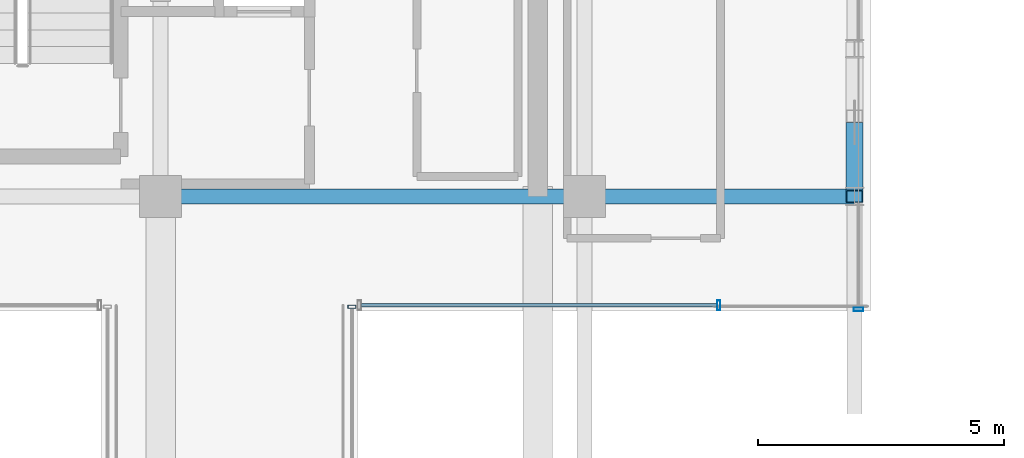
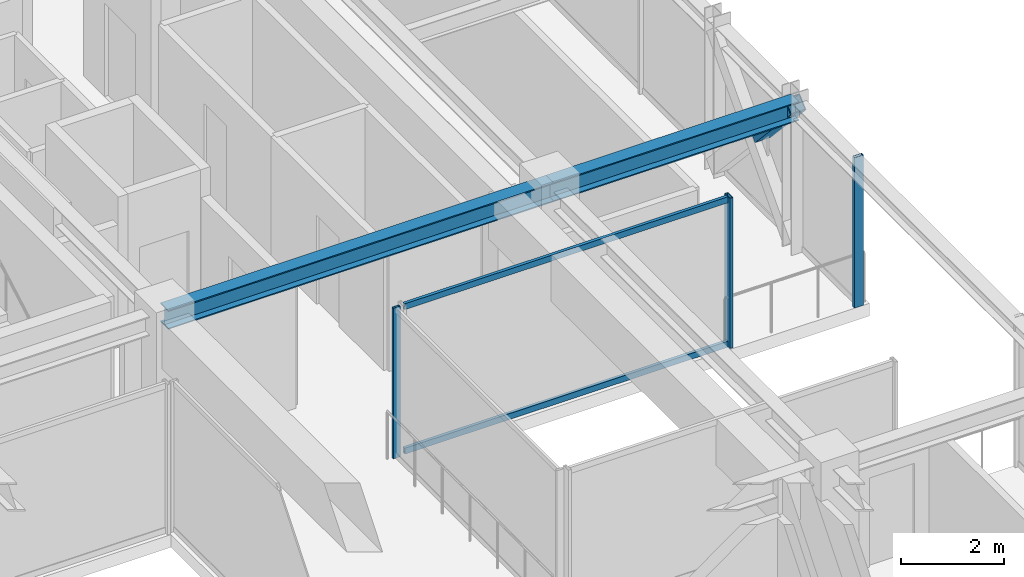
# One storey, part 21 of 39: 6 members, 2 beams, 3 elements without a shape of their own.
"""IFC4 building model written with IfcOpenShell, lengths in metres."""

from ifc_helpers import new_model, si_unit, direction, frame, origin, origin_2d, place, context, subcontext, project, spatial, hollow_rectangle, i_section, extrude, source, transform, mapped, material, material_profile, profile_set, type_object, element, aggregate, save


model = new_model("IFC4")

# Units and contexts
model_context = context("Model", 3, precision=1e-05, world=origin(), true_north=direction((0.0, 1.0)))
body_context = subcontext(model_context, "Body", "Model", "MODEL_VIEW")
ifc_project = project(units=[si_unit("LENGTHUNIT", "METRE"), si_unit("AREAUNIT", "SQUARE_METRE"), si_unit("VOLUMEUNIT", "CUBIC_METRE"), si_unit("PLANEANGLEUNIT", "RADIAN"), si_unit("MASSUNIT", "GRAM", prefix="KILO")], contexts=[model_context])

# Site, building, storey
site_placement = place(None, origin())
site = spatial("IfcSite", under=ifc_project, at=site_placement, CompositionType="ELEMENT")
building_placement = place(site_placement, origin())
building = spatial("IfcBuilding", under=site, at=building_placement, Name="Nahalor Promenade Grand Hotel", CompositionType="ELEMENT")
storey_placement = place(building_placement, frame((0.0, 0.0, 311.89990234375)))
storey = spatial("IfcBuildingStorey", under=building, at=storey_placement, Name="L80", CompositionType="ELEMENT", Elevation=311.89990234375)

# Beams
ifc_material_1 = material(Name="Steel S355JR", Category="steel")
ifc_material_profile_1 = material_profile(ifc_material_1, i_section(OverallWidth=0.3, OverallDepth=0.45, WebThickness=0.014, FlangeThickness=0.026, at=origin_2d()), Name="HEB 450")
ifc_profile_set_1 = profile_set([ifc_material_profile_1], Name="Steel S355JR")
beam_type = type_object("IfcBeamType", Name="Beam-Girder-HEB450", PredefinedType="BEAM", material=ifc_profile_set_1)
shared_shape_1 = source(origin(), body_context, "Body", "SweptSolid", [
    extrude(i_section(OverallWidth=0.3, OverallDepth=0.45, WebThickness=0.014, FlangeThickness=0.026, at=origin_2d()), origin(), (0.0, 0.0, 1.0), 8.60009765625),
])
beam_1_placement = place(storey_placement, frame((8.39990234375, 5.39990234375, 3.3251953125), z_axis=(1.0, 0.0, 0.0), x_axis=(0.0, 1.0, 0.0)))
element("IfcBeam", 1, at=beam_1_placement, inside=storey, type_object=beam_type, Name="BM-L80-GX-2-5", PredefinedType="BEAM", context=body_context, shape_type="MappedRepresentation", body=[
    mapped(shared_shape_1, transform((0.0, 0.0, 0.0), scale=1.0)),
])
shared_shape_2 = source(origin(), body_context, "Body", "SweptSolid", [
    extrude(i_section(OverallWidth=0.3, OverallDepth=0.45, WebThickness=0.014, FlangeThickness=0.026, at=origin_2d()), origin(), (0.0, 0.0, 1.0), 5.47998046875),
])
beam_2_placement = place(storey_placement, frame((17.0, 5.39990234375, 3.3251953125), z_axis=(1.0, 0.0, 0.0), x_axis=(0.0, 1.0, 0.0)))
element("IfcBeam", 2, at=beam_2_placement, inside=storey, type_object=beam_type, Name="BM-L80-GX-2-6", PredefinedType="BEAM", context=body_context, shape_type="MappedRepresentation", body=[
    mapped(shared_shape_2, transform((0.0, 0.0, 0.0), scale=1.0)),
])

# Member
ifc_material_profile_2 = material_profile(ifc_material_1, hollow_rectangle(XDim=0.35, YDim=0.35, WallThickness=0.02, at=origin_2d()), Name="SHS 350x350x20")
ifc_profile_set_2 = profile_set([ifc_material_profile_2], Name="Steel S355JR")
member_type_1 = type_object("IfcMemberType", Name="Mem-VoidBrace-SHS350", PredefinedType="BRACE", material=ifc_profile_set_2)
shared_shape_3 = source(origin(), body_context, "Body", "SweptSolid", [
    extrude(hollow_rectangle(XDim=0.35, YDim=0.35, WallThickness=0.02, at=origin_2d()), origin(), (0.0, 0.0, 1.0), 2.02392578125),
])
member_1_placement = place(storey_placement, frame((22.47998046875, 6.772705078125, 1.912841796875), z_axis=(0.0, -0.678255053132, 0.734826566545), x_axis=(1.0, 0.0, 0.0)))
element("IfcMember", 3, at=member_1_placement, inside=storey, type_object=member_type_1, Name="EXO-L80-VX2-E1B", PredefinedType="BRACE", context=body_context, shape_type="MappedRepresentation", body=[
    mapped(shared_shape_3, transform((0.0, 0.0, 0.0), scale=1.0)),
])

# Curtain wall, members
ifc_material_2 = material(Name="Anodised Bronze Aluminium EN AW-6063 T6", Category="aluminium")
curtain_wall_type_1 = type_object("IfcCurtainWallType", Name="CW3 Elliptical-Void Collar Unitised Curtain Wall", PredefinedType="USERDEFINED", material=ifc_material_2)
curtain_wall_1_placement = place(storey_placement, origin())
curtain_wall_1 = element("IfcCurtainWall", 4, at=curtain_wall_1_placement, inside=storey, type_object=curtain_wall_type_1, Name="L80 Curtain Wall CW-L80-VOID-EN1", ObjectType="UNITISED_CURTAIN_WALL", PredefinedType="USERDEFINED")
ifc_material_profile_3 = material_profile(ifc_material_2, hollow_rectangle(XDim=0.07, YDim=0.14, WallThickness=0.004, at=origin_2d()), Name="CWT 70x140x4")
ifc_profile_set_3 = profile_set([ifc_material_profile_3], Name="Anodised Bronze Aluminium EN AW-6063 T6")
member_type_2 = type_object("IfcMemberType", Name="CWT3 Void Collar Transom 70x140", PredefinedType="USERDEFINED", material=ifc_profile_set_3)
shared_shape_4 = source(origin(), body_context, "Body", "SweptSolid", [
    extrude(hollow_rectangle(XDim=0.07, YDim=0.14, WallThickness=0.004, at=origin_2d()), origin(), (0.0, 0.0, 1.0), 7.219970703125),
])
member_2_placement = place(storey_placement, frame((12.469970703125, 3.19091796875, 0.070068359375), z_axis=(1.0, 0.0, 0.0), x_axis=(0.0, 1.0, 0.0)))
member_2 = element("IfcMember", 5, at=member_2_placement, type_object=member_type_2, Name="CW-L80-VOID-EN1 Transom 0-0", ObjectType="TRANSOM", PredefinedType="USERDEFINED", context=body_context, shape_type="MappedRepresentation", body=[
    mapped(shared_shape_4, transform((0.0, 0.0, 0.0), scale=1.0)),
])
member_3_placement = place(storey_placement, frame((12.469970703125, 3.19091796875, 3.47998046875), z_axis=(1.0, 0.0, 0.0), x_axis=(0.0, 1.0, 0.0)))
member_3 = element("IfcMember", 6, at=member_3_placement, type_object=member_type_2, Name="CW-L80-VOID-EN1 Transom 0-1", ObjectType="TRANSOM", PredefinedType="USERDEFINED", context=body_context, shape_type="MappedRepresentation", body=[
    mapped(shared_shape_4, transform((0.0, 0.0, 0.0), scale=1.0)),
])

# Curtain wall, member
curtain_wall_2_placement = place(storey_placement, origin())
curtain_wall_2 = element("IfcCurtainWall", 7, at=curtain_wall_2_placement, inside=storey, type_object=curtain_wall_type_1, Name="L80 Curtain Wall CW-L80-E-4", ObjectType="UNITISED_CURTAIN_WALL", PredefinedType="USERDEFINED")
ifc_material_profile_4 = material_profile(ifc_material_2, hollow_rectangle(XDim=0.07, YDim=0.2, WallThickness=0.005, at=origin_2d()), Name="CWM 70x200x5")
ifc_profile_set_4 = profile_set([ifc_material_profile_4], Name="Anodised Bronze Aluminium EN AW-6063 T6")
member_type_3 = type_object("IfcMemberType", Name="CWM3 Void Collar Mullion 70x200", PredefinedType="MULLION", material=ifc_profile_set_4)
shared_shape_5 = source(origin(), body_context, "Body", "SweptSolid", [
    extrude(hollow_rectangle(XDim=0.07, YDim=0.2, WallThickness=0.005, at=origin_2d()), origin(), (0.0, 0.0, 1.0), 3.550048828125),
])
member_4_placement = place(storey_placement, frame((22.56005859375, 3.10595703125, 0.0), z_axis=(0.0, 0.0, 1.0), x_axis=(0.0, 1.0, 0.0)))
member_4 = element("IfcMember", 8, at=member_4_placement, type_object=member_type_3, Name="CW-L80-E-4 Mullion 0", PredefinedType="MULLION", context=body_context, shape_type="MappedRepresentation", body=[
    mapped(shared_shape_5, transform((0.0, 0.0, 0.0), scale=1.0)),
])
aggregate(curtain_wall_2, [member_4])

# Member
member_5_placement = place(storey_placement, frame((19.72509765625, 3.19091796875, 0.0), z_axis=(0.0, 0.0, 1.0), x_axis=(1.0, 0.0, 0.0)))
member_5 = element("IfcMember", 9, at=member_5_placement, type_object=member_type_3, Name="CW-L80-VOID-EN1 Mullion 1", PredefinedType="MULLION", context=body_context, shape_type="MappedRepresentation", body=[
    mapped(shared_shape_5, transform((0.0, 0.0, 0.0), scale=1.0)),
])

aggregate(curtain_wall_1, [member_5, member_2, member_3])

# Curtain wall, member
curtain_wall_type_2 = type_object("IfcCurtainWallType", Name="CW4 Low-Iron Sky-Gallery Bridge Curtain Wall", PredefinedType="USERDEFINED", material=ifc_material_2)
curtain_wall_3_placement = place(storey_placement, origin())
curtain_wall_3 = element("IfcCurtainWall", 10, at=curtain_wall_3_placement, inside=storey, type_object=curtain_wall_type_2, Name="L80 Curtain Wall CW-L80-BRG-E", ObjectType="UNITISED_CURTAIN_WALL", PredefinedType="USERDEFINED")
ifc_material_profile_5 = material_profile(ifc_material_2, hollow_rectangle(XDim=0.06, YDim=0.16, WallThickness=0.004, at=origin_2d()), Name="CWM 60x160x4")
ifc_profile_set_5 = profile_set([ifc_material_profile_5], Name="Anodised Bronze Aluminium EN AW-6063 T6")
member_type_4 = type_object("IfcMemberType", Name="CWM4 Sky-Gallery Slim Mullion 60x160", PredefinedType="MULLION", material=ifc_profile_set_5)
shared_shape_6 = source(origin(), body_context, "Body", "SweptSolid", [
    extrude(hollow_rectangle(XDim=0.06, YDim=0.16, WallThickness=0.004, at=origin_2d()), origin(), (0.0, 0.0, 1.0), 3.550048828125),
])
member_6_placement = place(storey_placement, frame((12.280029296875, 3.160888671875, 0.0), z_axis=(0.0, 0.0, 1.0), x_axis=(0.0, 1.0, 0.0)))
member_6 = element("IfcMember", 11, at=member_6_placement, type_object=member_type_4, Name="CW-L80-BRG-E Mullion 1", PredefinedType="MULLION", context=body_context, shape_type="MappedRepresentation", body=[
    mapped(shared_shape_6, transform((0.0, 0.0, 0.0), scale=1.0)),
])
aggregate(curtain_wall_3, [member_6])

save(model, "model.ifc")
